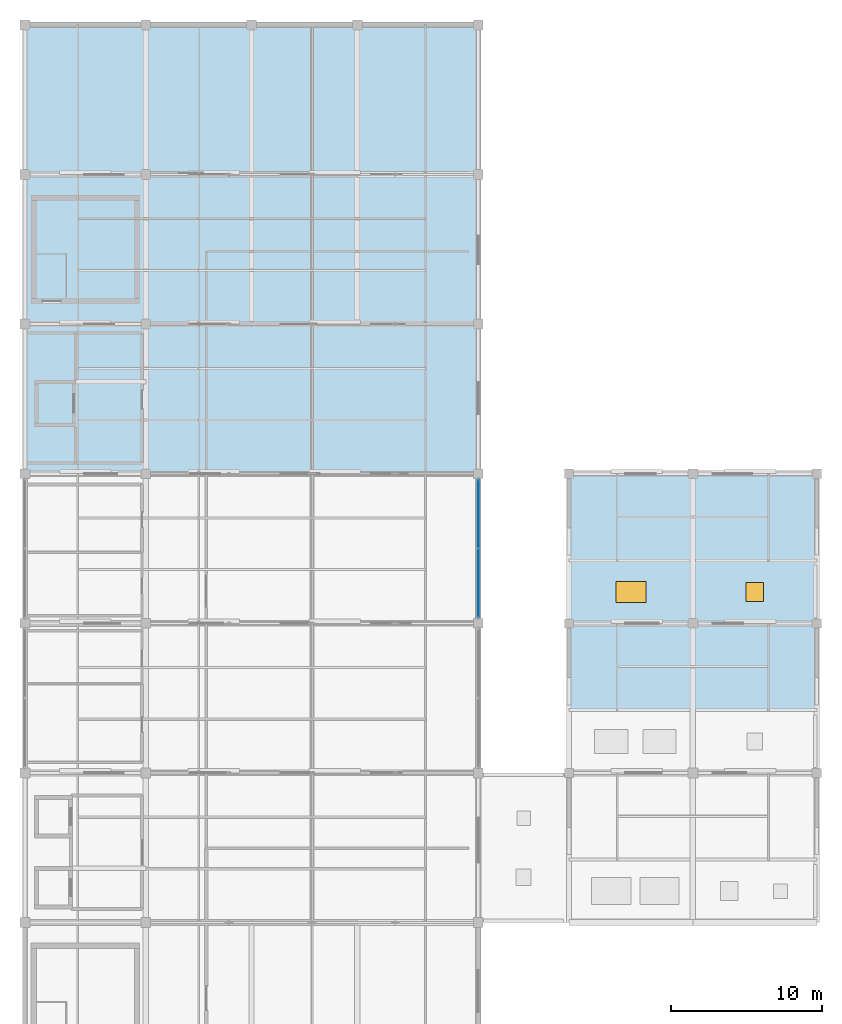
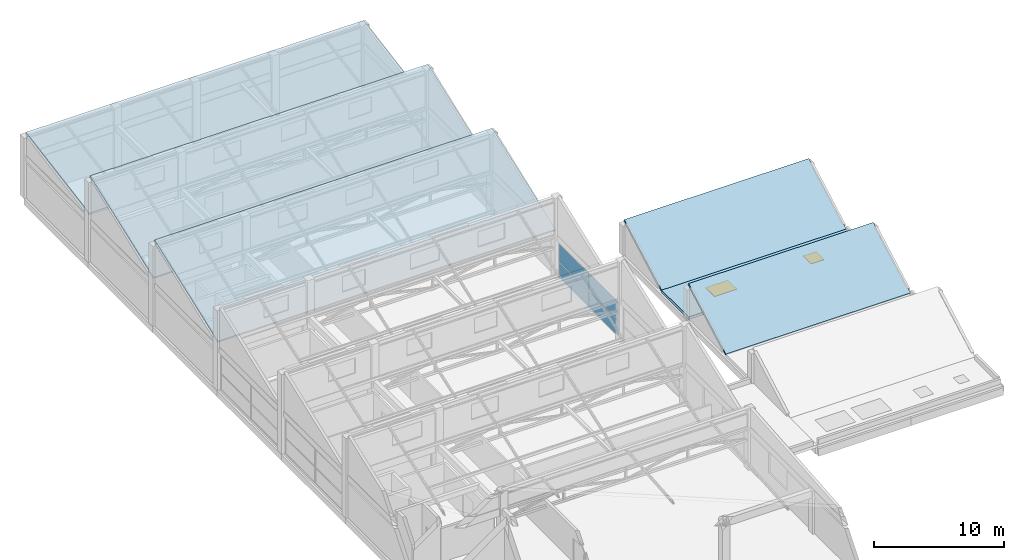
# One storey, part 26 of 35: 6 slabs, 4 plates, 1 door, 1 window, 2 openings, 1 element without a shape of its own.
"""IFC4 building model written with IfcOpenShell, lengths in metres."""

from ifc_helpers import new_model, si_unit, direction, frame, origin, origin_2d, place, context, subcontext, project, spatial, polyline, rectangle, outline, extrude, material, layer, layer_set, type_object, element, fill, aggregate, save


model = new_model("IFC4")

# Units and contexts
model_context = context("Model", 3, precision=1e-05, world=origin(), true_north=direction((0.0, 1.0)))
body_context = subcontext(model_context, "Body", "Model", "MODEL_VIEW")
ifc_project = project(units=[si_unit("LENGTHUNIT", "METRE"), si_unit("AREAUNIT", "SQUARE_METRE"), si_unit("VOLUMEUNIT", "CUBIC_METRE"), si_unit("PLANEANGLEUNIT", "RADIAN"), si_unit("MASSUNIT", "GRAM", prefix="KILO")], contexts=[model_context])

# Site, building, storey
site_placement = place(None, origin())
site = spatial("IfcSite", under=ifc_project, at=site_placement, CompositionType="ELEMENT")
building_placement = place(site_placement, origin())
building = spatial("IfcBuilding", under=site, at=building_placement, Name="Sillaruma Civic Art Gallery", CompositionType="ELEMENT")
storey_placement = place(building_placement, frame((0.0, 0.0, 74.4599609375)))
storey = spatial("IfcBuildingStorey", under=building, at=storey_placement, Name="L15", CompositionType="ELEMENT", Elevation=74.4599609375)

# Curtain wall, plates
ifc_material_1 = material(Name="Thermally Broken Extruded Aluminium 6063-T6", Category="aluminium")
ifc_layer_1 = layer(ifc_material_1, 0.159912109375, Name="Thermally Broken Extruded Aluminium 6063-T6")
ifc_layer_set_1 = layer_set([ifc_layer_1], Name="Thermally Broken Extruded Aluminium 6063-T6")
curtain_wall_type = type_object("IfcCurtainWallType", Name="CW-UNI-114", PredefinedType="NOTDEFINED", material=ifc_layer_set_1)
curtain_wall_placement = place(storey_placement, origin())
curtain_wall = element("IfcCurtainWall", 1, at=curtain_wall_placement, inside=storey, type_object=curtain_wall_type, Name="Unitised Curtain Wall CW-114 (CW-L15-WBE-5)", PredefinedType="NOTDEFINED")
ifc_material_2 = material(Name="Low-E UV-Filtered Laminated Insulating Glass", Category="glass")
ifc_layer_2 = layer(ifc_material_2, 0.031982421875, Name="Low-E UV-Filtered Laminated Insulating Glass")
ifc_layer_set_2 = layer_set([ifc_layer_2], Name="Low-E UV-Filtered Laminated Insulating Glass")
plate_type = type_object("IfcPlateType", Name="PNL-GLZ-32", PredefinedType="CURTAIN_PANEL", material=ifc_layer_set_2)
plate_1_placement = place(storey_placement, frame((92.0, 62.0537109375, 0.06494140625), z_axis=(0.0, 0.0, 1.0), x_axis=(0.0, 1.0, 0.0)))
plate_1 = element("IfcPlate", 2, at=plate_1_placement, type_object=plate_type, Name="CW-114 panel 1.1", PredefinedType="CURTAIN_PANEL", context=body_context, shape_type="SweptSolid", body=[
    extrude(rectangle(XDim=4.527587890625, YDim=0.031982421875, at=origin_2d()), origin(), (0.0, 0.0, 1.0), 1.416015625),
])
plate_2_placement = place(storey_placement, frame((92.0, 62.0537109375, 1.5458984375), z_axis=(0.0, 0.0, 1.0), x_axis=(0.0, 1.0, 0.0)))
plate_2 = element("IfcPlate", 3, at=plate_2_placement, type_object=plate_type, Name="CW-114 panel 1.2", PredefinedType="CURTAIN_PANEL", context=body_context, shape_type="SweptSolid", body=[
    extrude(rectangle(XDim=4.527587890625, YDim=0.031982421875, at=origin_2d()), origin(), (0.0, 0.0, 1.0), 1.67919921875),
])
plate_3_placement = place(storey_placement, frame((92.0, 66.646240234375, 0.06494140625), z_axis=(0.0, 0.0, 1.0), x_axis=(0.0, 1.0, 0.0)))
plate_3 = element("IfcPlate", 4, at=plate_3_placement, type_object=plate_type, Name="CW-114 panel 2.1", PredefinedType="CURTAIN_PANEL", context=body_context, shape_type="SweptSolid", body=[
    extrude(rectangle(XDim=4.527587890625, YDim=0.031982421875, at=origin_2d()), origin(), (0.0, 0.0, 1.0), 1.416015625),
])
plate_4_placement = place(storey_placement, frame((92.0, 66.646240234375, 1.5458984375), z_axis=(0.0, 0.0, 1.0), x_axis=(0.0, 1.0, 0.0)))
plate_4 = element("IfcPlate", 5, at=plate_4_placement, type_object=plate_type, Name="CW-114 panel 2.2", PredefinedType="CURTAIN_PANEL", context=body_context, shape_type="SweptSolid", body=[
    extrude(rectangle(XDim=4.527587890625, YDim=0.031982421875, at=origin_2d()), origin(), (0.0, 0.0, 1.0), 1.67919921875),
])
aggregate(curtain_wall, [plate_1, plate_2, plate_3, plate_4])

# Slabs
ifc_material_3 = material(Name="Concrete H35 (35 MPa)", Category="concrete")
ifc_layer_3 = layer(ifc_material_3, 0.179931640625, Name="Concrete H35 (35 MPa)")
ifc_layer_set_3 = layer_set([ifc_layer_3], Name="Concrete H35 (35 MPa)")
slab_type_1 = type_object("IfcSlabType", Name="SLB-ROOF-180", PredefinedType="ROOF", material=ifc_layer_set_3)
for number, where, z_axis, x_axis, name in (
    (6, (98.0, 53.659912109375, 0.0), (0.0, -0.479939350743, 0.877301669672), (1.0, 0.0, 0.0), "Sawtooth North-Light Roof Slab (ROOF-L15-ESAW-2)"),
    (7, (98.0, 63.56005859375, 0.0), (0.0, -0.479939350743, 0.877301669672), (1.0, 0.0, 0.0), "Sawtooth North-Light Roof Slab (ROOF-L15-ESAW-3)"),
):
    element("IfcSlab", number, at=place(storey_placement, frame(where, z_axis=z_axis, x_axis=x_axis)), inside=storey, type_object=slab_type_1, Name=name, PredefinedType="ROOF", context=body_context, shape_type="SweptSolid", body=[
        extrude(outline(polyline([(0.0, 0.0), (16.39990234375, 0.0), (16.39990234375, 6.542778194556376), (0.0, 6.542778194556376), (0.0, 0.0)])), origin(), (0.0, 0.0, -1.0), 0.179931640625),
    ])
slab_1_placement = place(storey_placement, frame((62.0, 79.340087890625, 4.219970703125), z_axis=(0.0, -0.34776193299, 0.937582869918), x_axis=(1.0, 0.0, 0.0)))
element("IfcSlab", 8, at=slab_1_placement, inside=storey, type_object=slab_type_1, Name="Sawtooth North-Light Roof Slab (ROOF-L15-SAW-5)", PredefinedType="ROOF", context=body_context, shape_type="SweptSolid", body=[
    extrude(outline(polyline([(0.0, 0.0), (30.0, 0.0), (30.0, 10.40975691725452), (0.0, 10.40975691725452), (0.0, 0.0)])), origin(), (0.0, 0.0, -1.0), 0.179931640625),
])
ifc_layer_4 = layer(ifc_material_3, 0.195068359375, Name="Concrete H35 (35 MPa)")
ifc_layer_set_4 = layer_set([ifc_layer_4], Name="Concrete H35 (35 MPa)")
slab_type_2 = type_object("IfcSlabType", Name="SLB-ROOF-195", PredefinedType="ROOF", material=ifc_layer_set_4)
slab_2_placement = place(storey_placement, frame((62.0, 69.43994140625, 4.235107421875), z_axis=(0.0, -0.346482729624, 0.938056351224), x_axis=(1.0, 0.0, 0.0)))
element("IfcSlab", 9, at=slab_2_placement, inside=storey, type_object=slab_type_2, Name="Sawtooth North-Light Roof Slab (ROOF-L15-SAW-4)", PredefinedType="ROOF", context=body_context, shape_type="SweptSolid", body=[
    extrude(outline(polyline([(0.0, 0.0), (30.0, 0.0), (30.0, 10.404502621709716), (0.0, 10.404502621709716), (0.0, 0.0)])), origin(), (0.0, 0.0, -1.0), 0.195068359375),
])
ifc_layer_5 = layer(ifc_material_3, 0.215087890625, Name="Concrete H35 (35 MPa)")
ifc_layer_set_5 = layer_set([ifc_layer_5], Name="Concrete H35 (35 MPa)")
slab_type_3 = type_object("IfcSlabType", Name="SLB-ROOF-215", PredefinedType="ROOF", material=ifc_layer_set_5)
slab_3_placement = place(storey_placement, frame((62.0, 89.239990234375, 4.255126953125), z_axis=(0.0, -0.170108324091, 0.985425369105), x_axis=(1.0, 0.0, 0.0)))
element("IfcSlab", 10, at=slab_3_placement, inside=storey, type_object=slab_type_3, Name="Sawtooth North-Light Roof Slab (ROOF-L15-PLTN)", PredefinedType="ROOF", context=body_context, shape_type="SweptSolid", body=[
    extrude(outline(polyline([(0.0, 0.0), (30.0, 0.0), (30.0, 9.904362188780974), (0.0, 9.904362188780974), (0.0, 0.0)])), origin(), (0.0, 0.0, -1.0), 0.215087890625),
])

# Slab, openings, door, window
ifc_layer_6 = layer(ifc_material_3, 0.25, Name="Concrete H35 (35 MPa)")
ifc_layer_set_6 = layer_set([ifc_layer_6], Name="Concrete H35 (35 MPa)")
slab_type_4 = type_object("IfcSlabType", Name="SLB-ROOF-250", PredefinedType="ROOF", material=ifc_layer_set_6)
slab_4_placement = place(storey_placement, frame((0.0, 0.0, -0.25)))
slab_4 = element("IfcSlab", 11, at=slab_4_placement, inside=storey, type_object=slab_type_4, Name="Roof Slab SR-250 (ROOF-L15-EVAL-3)", PredefinedType="ROOF", context=body_context, shape_type="SweptSolid", body=[
    extrude(outline(polyline([(98.0, 59.39990234375), (114.39990234375, 59.39990234375), (114.39990234375, 63.56005859375), (98.0, 63.56005859375), (98.0, 59.39990234375)])), origin(), (0.0, 0.0, 1.0), 0.25),
])
opening_1_placement = place(slab_4_placement, frame((102.10009765625, 61.47998046875, -0.010009765625)))
opening_1 = element("IfcOpeningElement", 12, at=opening_1_placement, cuts=slab_4, Name="Opening SK-07", PredefinedType="OPENING", context=body_context, shape_type="SweptSolid", body=[
    extrude(rectangle(XDim=2.0, YDim=1.39990234375, at=origin_2d()), origin(), (0.0, 0.0, 1.0), 0.27001953125),
])
opening_2_placement = place(slab_4_placement, frame((110.300048828125, 61.47998046875, -0.010009765625)))
opening_2 = element("IfcOpeningElement", 13, at=opening_2_placement, cuts=slab_4, Name="Opening RH-01", PredefinedType="OPENING", context=body_context, shape_type="SweptSolid", body=[
    extrude(rectangle(XDim=1.14990234375, YDim=1.25, at=origin_2d()), origin(), (0.0, 0.0, 1.0), 0.27001953125),
])
ifc_material_4 = material(Name="Galvanised Steel ASTM A653 Gr.50", Category="steel")
door_type = type_object("IfcDoorType", Name="DOR-TRAP-115", OperationType="NOTDEFINED", PredefinedType="TRAPDOOR", material=ifc_material_4)
door_placement = place(slab_4_placement, frame((110.300048828125, 61.47998046875, 0.199951171875)))
door = element("IfcDoor", 14, at=door_placement, inside=storey, type_object=door_type, Name="Maintenance Roof Access Hatch (HTCH-L15-3)", OperationType="SWING_FIXED_LEFT", OverallHeight=1.25, OverallWidth=1.14990234375, PredefinedType="TRAPDOOR", context=body_context, shape_type="SweptSolid", body=[
    extrude(rectangle(XDim=1.14990234375, YDim=1.25, at=origin_2d()), origin(), (0.0, 0.0, 1.0), 0.050048828125),
])
fill(opening_2, door)
window_type = type_object("IfcWindowType", Name="WIN-SKY-H3", PartitioningType="SINGLE_PANEL", PredefinedType="SKYLIGHT", material=ifc_material_1)
window_placement = place(slab_4_placement, frame((102.10009765625, 61.47998046875, 0.199951171875)))
window = element("IfcWindow", 15, at=window_placement, inside=storey, type_object=window_type, Name="Gallery Diffusing Valley Skylight (SKY-VAL-3)", OverallHeight=1.39990234375, OverallWidth=2.0, PartitioningType="SINGLE_PANEL", PredefinedType="SKYLIGHT", context=body_context, shape_type="SweptSolid", body=[
    extrude(rectangle(XDim=2.0, YDim=1.39990234375, at=origin_2d()), origin(), (0.0, 0.0, 1.0), 0.050048828125),
])
fill(opening_1, window)

save(model, "model.ifc")
